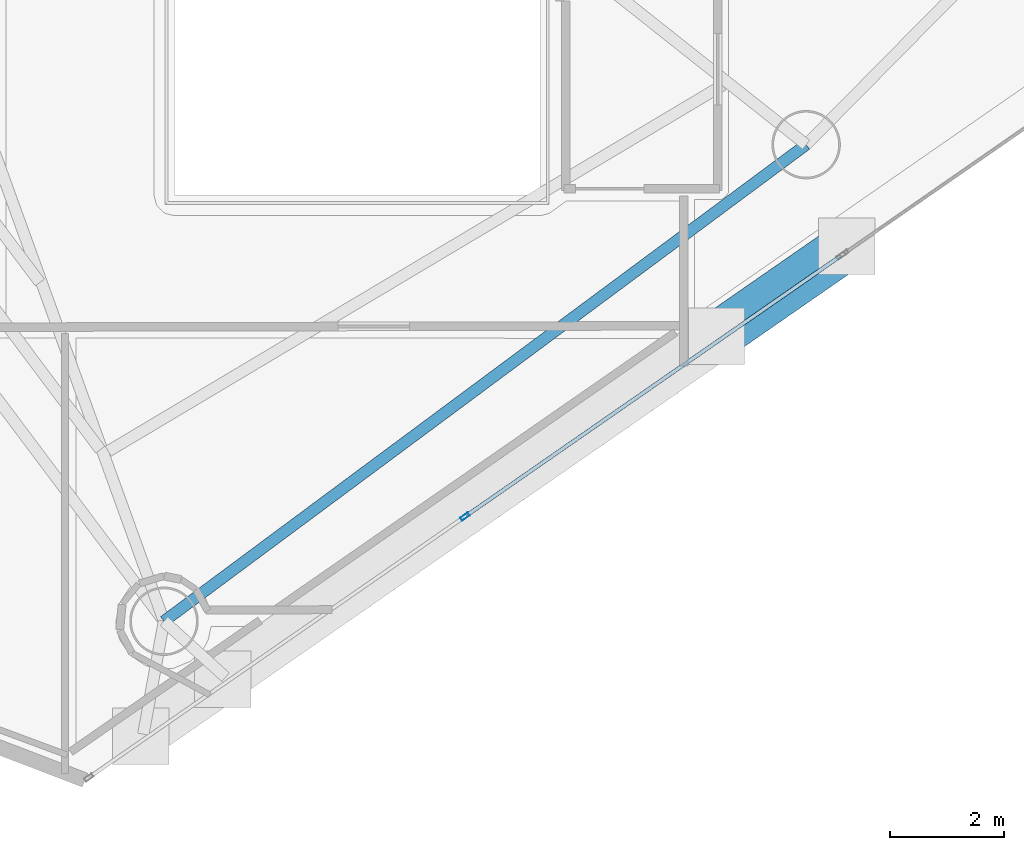
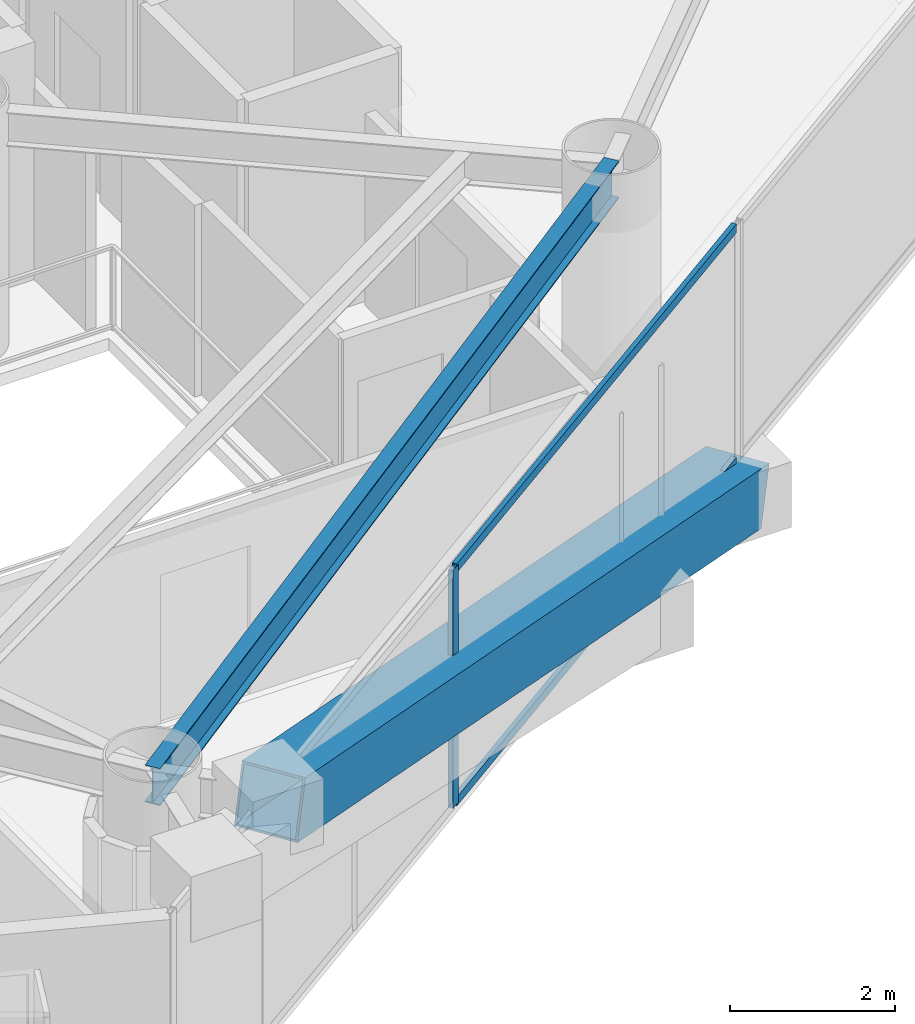
# One storey, part 6 of 23: 4 members, 1 beam, 1 element without a shape of its own.
"""IFC4 building model written with IfcOpenShell, lengths in metres."""

from ifc_helpers import new_model, si_unit, direction, frame, origin, origin_2d, place, context, subcontext, project, spatial, hollow_rectangle, i_section, extrude, material, layer, layer_set, material_profile, profile_set, type_object, element, aggregate, save


model = new_model("IFC4")

# Units and contexts
model_context = context("Model", 3, precision=1e-05, world=origin(), true_north=direction((0.0, 1.0)))
body_context = subcontext(model_context, "Body", "Model", "MODEL_VIEW")
ifc_project = project(units=[si_unit("LENGTHUNIT", "METRE"), si_unit("AREAUNIT", "SQUARE_METRE"), si_unit("VOLUMEUNIT", "CUBIC_METRE"), si_unit("PLANEANGLEUNIT", "RADIAN"), si_unit("MASSUNIT", "GRAM", prefix="KILO")], contexts=[model_context])

# Site, building, storey
site_placement = place(None, origin())
site = spatial("IfcSite", under=ifc_project, at=site_placement, CompositionType="ELEMENT")
building_placement = place(site_placement, origin())
building = spatial("IfcBuilding", under=site, at=building_placement, Name="Qianvela Tower", CompositionType="ELEMENT")
storey_placement = place(building_placement, frame((0.0, 0.0, 192.89990234375)))
storey = spatial("IfcBuildingStorey", under=building, at=storey_placement, Name="L49", CompositionType="ELEMENT", Elevation=192.89990234375)

# Beam
ifc_material_1 = material(Name="Steel Q355B", Category="steel")
ifc_material_profile_1 = material_profile(ifc_material_1, i_section(OverallWidth=0.199951171875, OverallDepth=0.550048828125, WebThickness=0.010009765625, FlangeThickness=0.01611328125, at=origin_2d()), Name="HN550x200x10x16")
ifc_profile_set_1 = profile_set([ifc_material_profile_1], Name="Steel Q355B")
beam_type = type_object("IfcBeamType", Name="BM-HN550-GIRD", PredefinedType="BEAM", material=ifc_profile_set_1)
beam_placement = place(storey_placement, frame((33.4130859375, 10.531005859375, 3.2431640625), z_axis=(0.803016810701, 0.595956375696, 0.0), x_axis=(-0.595956375696, 0.803016810701, 0.0)))
element("IfcBeam", 1, at=beam_placement, inside=storey, type_object=beam_type, Name="L49 Perimeter Ring Spandrel Girder 5", PredefinedType="BEAM", context=body_context, shape_type="SweptSolid", body=[
    extrude(i_section(OverallWidth=0.199951171875, OverallDepth=0.550048828125, WebThickness=0.010009765625, FlangeThickness=0.01611328125, at=origin_2d()), origin(), (0.0, 0.0, 1.0), 14.0146484375),
])

# Curtain wall, members
ifc_material_2 = material(Name="Anodised Architectural Aluminium and Insulated Spandrel Panel", Category="aluminium")
ifc_layer = layer(ifc_material_2, 0.179931640625)
ifc_layer_set = layer_set([ifc_layer], Name="Anodised Architectural Aluminium and Insulated Spandrel Panel")
curtain_wall_type = type_object("IfcCurtainWallType", Name="CW-BRACEBAY", PredefinedType="USERDEFINED", material=ifc_layer_set)
curtain_wall_placement = place(storey_placement, origin())
curtain_wall = element("IfcCurtainWall", 2, at=curtain_wall_placement, inside=storey, type_object=curtain_wall_type, Name="L49 CW-BRACEBAY Curtain Wall 06A", ObjectType="CURTAIN_WALL_SYSTEM", PredefinedType="USERDEFINED")
ifc_material_3 = material(Name="Anodised Architectural Aluminium 6063-T6", Category="aluminium")
ifc_material_profile_2 = material_profile(ifc_material_3, hollow_rectangle(XDim=0.06494140625, YDim=0.159912109375, WallThickness=0.0048828125, at=origin_2d()), Name="ALU-MULL-65x160")
ifc_profile_set_2 = profile_set([ifc_material_profile_2], Name="Anodised Architectural Aluminium 6063-T6")
member_type_1 = type_object("IfcMemberType", Name="CW-BRACEBAY-MULL", PredefinedType="MULLION", material=ifc_profile_set_2)
member_1_placement = place(storey_placement, frame((38.68798828125, 12.365478515625, 0.0), z_axis=(0.0, 0.0, 1.0), x_axis=(-0.570036654674, 0.821619262388, 0.0)))
member_1 = element("IfcMember", 3, at=member_1_placement, type_object=member_type_1, Name="CW-9 mullion 2", PredefinedType="MULLION", context=body_context, shape_type="SweptSolid", body=[
    extrude(hollow_rectangle(XDim=0.06494140625, YDim=0.159912109375, WallThickness=0.0048828125, at=origin_2d()), origin(), (0.0, 0.0, 1.0), 3.52001953125),
])
ifc_material_4 = material(Name="Anodised Architectural Aluminium 6063-T6", Category="aluminium")
ifc_material_profile_3 = material_profile(ifc_material_4, hollow_rectangle(XDim=0.06494140625, YDim=0.1298828125, WallThickness=0.00439453125, at=origin_2d()), Name="ALU-TRAN-65x130")
ifc_profile_set_3 = profile_set([ifc_material_profile_3], Name="Anodised Architectural Aluminium 6063-T6")
member_type_2 = type_object("IfcMemberType", Name="CW-BRACEBAY-TRAN", PredefinedType="USERDEFINED", material=ifc_profile_set_3)
member_2_placement = place(storey_placement, frame((38.71484375, 12.384033203125, 0.03271484375), z_axis=(0.821607468824, 0.57005365289, 0.0), x_axis=(-0.57005365289, 0.821607468824, 0.0)))
member_2 = element("IfcMember", 4, at=member_2_placement, type_object=member_type_2, Name="CW-9 transom 2.1", ObjectType="TRANSOM", PredefinedType="USERDEFINED", context=body_context, shape_type="SweptSolid", body=[
    extrude(hollow_rectangle(XDim=0.06494140625, YDim=0.1298828125, WallThickness=0.00439453125, at=origin_2d()), origin(), (0.0, 0.0, 1.0), 7.957275390625),
])
member_3_placement = place(storey_placement, frame((38.71484375, 12.384033203125, 3.487548828125), z_axis=(0.821607468824, 0.57005365289, 0.0), x_axis=(-0.57005365289, 0.821607468824, 0.0)))
member_3 = element("IfcMember", 5, at=member_3_placement, type_object=member_type_2, Name="CW-9 transom 2.2", ObjectType="TRANSOM", PredefinedType="USERDEFINED", context=body_context, shape_type="SweptSolid", body=[
    extrude(hollow_rectangle(XDim=0.06494140625, YDim=0.1298828125, WallThickness=0.00439453125, at=origin_2d()), origin(), (0.0, 0.0, 1.0), 7.957275390625),
])
aggregate(curtain_wall, [member_1, member_2, member_3])

# Member
ifc_material_5 = material(Name="Steel Q420GJC", Category="steel")
ifc_material_profile_4 = material_profile(ifc_material_5, hollow_rectangle(XDim=0.85009765625, YDim=0.85009765625, WallThickness=0.031982421875, at=origin_2d()), Name="MBOX-850x850x32")
ifc_profile_set_4 = profile_set([ifc_material_profile_4], Name="Steel Q420GJC")
member_type_3 = type_object("IfcMemberType", Name="MBR-MBRACE-850", PredefinedType="BRACE", material=ifc_profile_set_4)
member_4_placement = place(storey_placement, frame((45.33447265625, 17.07421875, -0.48193359375), z_axis=(-0.791119226745, -0.548870803191, 0.269946680806), x_axis=(0.570033127991, -0.821621709178, 0.0)))
element("IfcMember", 6, at=member_4_placement, inside=storey, type_object=member_type_3, Name="L49 Tier 8 Exterior Mega-Brace F3B", PredefinedType="BRACE", context=body_context, shape_type="SweptSolid", body=[
    extrude(hollow_rectangle(XDim=0.85009765625, YDim=0.85009765625, WallThickness=0.031982421875, at=origin_2d()), origin(), (0.0, 0.0, 1.0), 13.706298828125),
])

save(model, "model.ifc")
